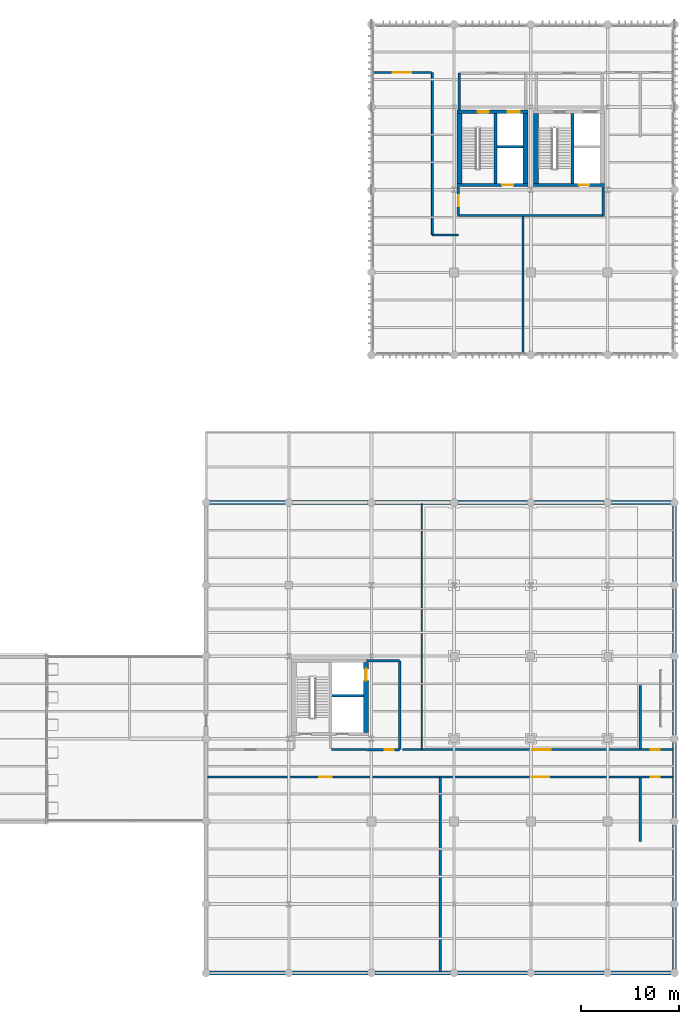
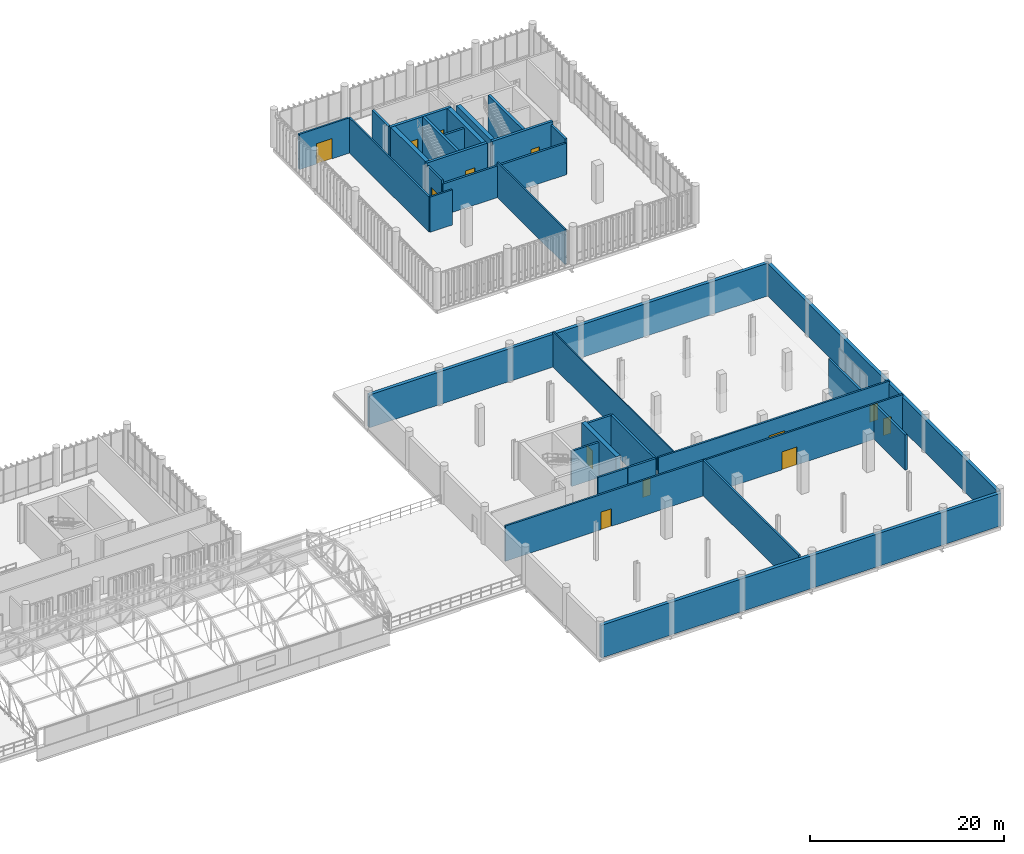
# One storey, part 95 of 109: 32 walls, 13 doors, 13 openings.
"""IFC4 building model written with IfcOpenShell, lengths in metres."""

from ifc_helpers import new_model, si_unit, direction, frame, frame_2d, origin_with_axes, place, context, subcontext, project, spatial, rectangle, extrude, material, layer, layer_set, type_object, element, fill, save


model = new_model("IFC4")

# Units and contexts
model_context = context("Model", 3, precision=1e-05, world=origin_with_axes(), true_north=direction((0.0, 1.0)))
body_context = subcontext(model_context, "Body", "Model", "MODEL_VIEW")
ifc_project = project(units=[si_unit("LENGTHUNIT", "METRE"), si_unit("AREAUNIT", "SQUARE_METRE"), si_unit("VOLUMEUNIT", "CUBIC_METRE"), si_unit("PLANEANGLEUNIT", "RADIAN"), si_unit("MASSUNIT", "GRAM", prefix="KILO"), si_unit("THERMODYNAMICTEMPERATUREUNIT", "KELVIN")], contexts=[model_context])

# Site, building, storey
site_placement = place(None, origin_with_axes())
site = spatial("IfcSite", under=ifc_project, at=site_placement, CompositionType="ELEMENT")
building_placement = place(site_placement, origin_with_axes())
building = spatial("IfcBuilding", under=site, at=building_placement, Name="Montbau Bow Law Courts", CompositionType="ELEMENT")
storey_placement = place(building_placement, frame((0.0, 0.0, 10.8), z_axis=(0.0, 0.0, 1.0), x_axis=(1.0, 0.0, 0.0)))
storey = spatial("IfcBuildingStorey", under=building, at=storey_placement, Name="L02", CompositionType="ELEMENT", Elevation=10.8)

# Walls
ifc_material_1 = material(Name="Concrete CSA A23.1 f'c 45 MPa", Category="concrete")
ifc_layer_1 = layer(ifc_material_1, 0.5, Name="Shear Wall", Category="concrete")
ifc_layer_set_1 = layer_set([ifc_layer_1], Name="Concrete CSA A23.1 f'c 45 MPa")
wall_type_1 = type_object("IfcWallType", Name="W-COR-01", PredefinedType="SHEAR", material=ifc_layer_set_1)
for number, where, z_axis, x_axis, name in (
    (1, (154.26, 87.04, 10.8), (0.0, 0.0, 1.0), (0.0, 1.0, 0.0), "WC-L02-0297:wal_0364"),
    (2, (147.54, 94.16, 10.8), (0.0, 0.0, 1.0), (0.0, -1.0, 0.0), "WC-L02-0298:wal_0365"),
    (3, (155.34, 94.16, 10.8), (0.0, 0.0, 1.0), (0.0, -1.0, 0.0), "WC-L02-0407:wal_0474"),
):
    element("IfcWall", number, at=place(None, frame(where, z_axis=z_axis, x_axis=x_axis)), inside=storey, type_object=wall_type_1, Name=name, PredefinedType="SHEAR", context=body_context, shape_type="SweptSolid", body=[
        extrude(rectangle(XDim=7.11999999999999, YDim=0.5, at=frame_2d((3.56, 0.0), x_axis=(1.0, 0.0))), origin_with_axes(), (0.0, 0.0, 1.0), 4.8),
    ])

# Wall, opening, door
wall_1_placement = place(None, frame((138.06, 31.24, 10.8), z_axis=(0.0, 0.0, 1.0), x_axis=(0.0, 1.0, 0.0)))
wall_1 = element("IfcWall", 4, at=wall_1_placement, inside=storey, type_object=wall_type_1, Name="WC-L02-0509:wal_0576", PredefinedType="SHEAR", context=body_context, shape_type="SweptSolid", body=[
    extrude(rectangle(XDim=7.120000000000001, YDim=0.5, at=frame_2d((3.56, 0.0), x_axis=(1.0, 0.0))), origin_with_axes(), (0.0, 0.0, 1.0), 4.8),
])
opening_1_placement = place(None, frame((138.06, 37.1, 10.8), z_axis=(0.0, 0.0, 1.0), x_axis=(0.0, 1.0, 0.0)))
opening_1 = element("IfcOpeningElement", 5, at=opening_1_placement, cuts=wall_1, Name="OP-LD-L02-EL-C2", PredefinedType="OPENING", context=body_context, shape_type="SweptSolid", body=[
    extrude(rectangle(XDim=1.18, YDim=2.24, at=frame_2d((0.0, 1.12), x_axis=(1.0, 0.0))), frame((0.0, 0.26, 0.0), z_axis=(0.0, -1.0, 0.0), x_axis=(1.0, 0.0, 0.0)), (0.0, 0.0, 1.0), 0.52),
])
ifc_material_2 = material(Name="Heavy-Gauge Security Custody Elevator Landing Door", Category="steel")
door_type_1 = type_object("IfcDoorType", Name="LD-CUS-01", OperationType="NOTDEFINED", ParameterTakesPrecedence=False, PredefinedType="DOOR", material=ifc_material_2)
door_1_placement = place(None, frame((138.06, 37.1, 10.8), z_axis=(0.0, 0.0, 1.0), x_axis=(0.0, 1.0, 0.0)))
door_1 = element("IfcDoor", 6, at=door_1_placement, inside=storey, type_object=door_type_1, Name="LD-L02-EL-C2:dor_0229", OperationType="SLIDING_TO_LEFT", OverallHeight=2.24, OverallWidth=1.18, PredefinedType="DOOR", context=body_context, shape_type="SweptSolid", body=[
    extrude(rectangle(XDim=1.18, YDim=2.24, at=frame_2d((0.0, 1.12), x_axis=(1.0, 0.0))), frame((0.0, 0.04, 0.0), z_axis=(0.0, -1.0, 0.0), x_axis=(1.0, 0.0, 0.0)), (0.0, 0.0, 1.0), 0.08),
])
fill(opening_1, door_1)

ifc_layer_2 = layer(ifc_material_1, 0.32, Name="Shear Wall", Category="concrete")
ifc_layer_set_2 = layer_set([ifc_layer_2], Name="Concrete CSA A23.1 f'c 45 MPa")
wall_type_2 = type_object("IfcWallType", Name="W-COR-05", PredefinedType="SHEAR", material=ifc_layer_set_2)
wall_2_placement = place(None, frame((147.29, 86.88, 10.8), z_axis=(0.0, 0.0, 1.0), x_axis=(1.0, 0.0, 0.0)))
wall_2 = element("IfcWall", 7, at=wall_2_placement, inside=storey, type_object=wall_type_2, Name="WC-L02-0295:wal_0362", PredefinedType="SHEAR", context=body_context, shape_type="SweptSolid", body=[
    extrude(rectangle(XDim=7.219999999999999, YDim=0.32, at=frame_2d((3.61, 0.0), x_axis=(1.0, 0.0))), origin_with_axes(), (0.0, 0.0, 1.0), 4.8),
])
opening_2_placement = place(None, frame((152.45, 86.88, 10.8), z_axis=(0.0, 0.0, 1.0), x_axis=(1.0, 0.0, 0.0)))
opening_2 = element("IfcOpeningElement", 8, at=opening_2_placement, cuts=wall_2, Name="OP-LD-L02-EL-P4", PredefinedType="OPENING", context=body_context, shape_type="SweptSolid", body=[
    extrude(rectangle(XDim=1.16, YDim=2.2, at=frame_2d((0.0, 1.1), x_axis=(1.0, 0.0))), frame((0.0, 0.17, 0.0), z_axis=(0.0, -1.0, 0.0), x_axis=(1.0, 0.0, 0.0)), (0.0, 0.0, 1.0), 0.34),
])
ifc_material_3 = material(Name="Brushed Stainless Steel Elevator Landing Door", Category="steel")
door_type_2 = type_object("IfcDoorType", Name="LD-PUB-01", OperationType="NOTDEFINED", ParameterTakesPrecedence=False, PredefinedType="DOOR", material=ifc_material_3)
door_2_placement = place(None, frame((152.45, 86.88, 10.8), z_axis=(0.0, 0.0, 1.0), x_axis=(-1.0, 0.0, 0.0)))
door_2 = element("IfcDoor", 9, at=door_2_placement, inside=storey, type_object=door_type_2, Name="LD-L02-EL-P4:dor_0151", OperationType="SLIDING_TO_LEFT", OverallHeight=2.2, OverallWidth=1.16, PredefinedType="DOOR", context=body_context, shape_type="SweptSolid", body=[
    extrude(rectangle(XDim=1.16, YDim=2.2, at=frame_2d((0.0, 1.1), x_axis=(1.0, 0.0))), frame((0.0, 0.04, 0.0), z_axis=(0.0, -1.0, 0.0), x_axis=(1.0, 0.0, 0.0)), (0.0, 0.0, 1.0), 0.08),
])
fill(opening_2, door_2)

# Wall, openings, doors
wall_3_placement = place(None, frame((154.51, 94.32, 10.8), z_axis=(0.0, 0.0, 1.0), x_axis=(-1.0, 0.0, 0.0)))
wall_3 = element("IfcWall", 10, at=wall_3_placement, inside=storey, type_object=wall_type_2, Name="WC-L02-0296:wal_0363", PredefinedType="SHEAR", context=body_context, shape_type="SweptSolid", body=[
    extrude(rectangle(XDim=7.219999999999999, YDim=0.32, at=frame_2d((3.61, 0.0), x_axis=(1.0, 0.0))), origin_with_axes(), (0.0, 0.0, 1.0), 4.8),
])
opening_3_placement = place(None, frame((149.95, 94.32, 10.8), z_axis=(0.0, 0.0, 1.0), x_axis=(-1.0, 0.0, 0.0)))
opening_3 = element("IfcOpeningElement", 11, at=opening_3_placement, cuts=wall_3, Name="OP-D-L02-ST-P2", PredefinedType="OPENING", context=body_context, shape_type="SweptSolid", body=[
    extrude(rectangle(XDim=1.14, YDim=2.18, at=frame_2d((0.0, 1.09), x_axis=(1.0, 0.0))), frame((0.0, 0.17, 0.0), z_axis=(0.0, -1.0, 0.0), x_axis=(1.0, 0.0, 0.0)), (0.0, 0.0, 1.0), 0.34),
])
opening_4_placement = place(None, frame((153.05, 94.32, 10.8), z_axis=(0.0, 0.0, 1.0), x_axis=(-1.0, 0.0, 0.0)))
opening_4 = element("IfcOpeningElement", 12, at=opening_4_placement, cuts=wall_3, Name="OP-LD-L02-EL-FF1", PredefinedType="OPENING", context=body_context, shape_type="SweptSolid", body=[
    extrude(rectangle(XDim=1.22, YDim=2.28, at=frame_2d((0.0, 1.14), x_axis=(1.0, 0.0))), frame((0.0, 0.17, 0.0), z_axis=(0.0, -1.0, 0.0), x_axis=(1.0, 0.0, 0.0)), (0.0, 0.0, 1.0), 0.34),
])
ifc_material_4 = material(Name="1.5 h Fire-Rated Hollow-Metal Exit Stair Door", Category="steel")
door_type_3 = type_object("IfcDoorType", Name="D-ST-01", OperationType="NOTDEFINED", ParameterTakesPrecedence=False, PredefinedType="DOOR", material=ifc_material_4)
door_3_placement = place(None, frame((149.95, 94.32, 10.8), z_axis=(0.0, 0.0, 1.0), x_axis=(1.0, 0.0, 0.0)))
door_3 = element("IfcDoor", 13, at=door_3_placement, inside=storey, type_object=door_type_3, Name="D-L02-ST-P2:dor_0149", OperationType="SINGLE_SWING_RIGHT", OverallHeight=2.18, OverallWidth=1.14, PredefinedType="DOOR", context=body_context, shape_type="SweptSolid", body=[
    extrude(rectangle(XDim=1.14, YDim=2.18, at=frame_2d((0.0, 1.09), x_axis=(1.0, 0.0))), frame((0.0, 0.04, 0.0), z_axis=(0.0, -1.0, 0.0), x_axis=(1.0, 0.0, 0.0)), (0.0, 0.0, 1.0), 0.08),
])
fill(opening_3, door_3)
ifc_material_5 = material(Name="CSA B44 Firefighters Elevator Landing Door", Category="steel")
door_type_4 = type_object("IfcDoorType", Name="LD-FFE-01", OperationType="NOTDEFINED", ParameterTakesPrecedence=False, PredefinedType="DOOR", material=ifc_material_5)
door_4_placement = place(None, frame((153.05, 94.32, 10.8), z_axis=(0.0, 0.0, 1.0), x_axis=(1.0, 0.0, 0.0)))
door_4 = element("IfcDoor", 14, at=door_4_placement, inside=storey, type_object=door_type_4, Name="LD-L02-EL-FF1:dor_0150", OperationType="SLIDING_TO_LEFT", OverallHeight=2.28, OverallWidth=1.22, PredefinedType="DOOR", context=body_context, shape_type="SweptSolid", body=[
    extrude(rectangle(XDim=1.22, YDim=2.28, at=frame_2d((0.0, 1.14), x_axis=(1.0, 0.0))), frame((0.0, 0.04, 0.0), z_axis=(0.0, -1.0, 0.0), x_axis=(1.0, 0.0, 0.0)), (0.0, 0.0, 1.0), 0.08),
])
fill(opening_4, door_4)

# Wall
wall_4_placement = place(None, frame((151.22, 87.04, 10.8), z_axis=(0.0, 0.0, 1.0), x_axis=(0.0, 1.0, 0.0)))
element("IfcWall", 15, at=wall_4_placement, inside=storey, type_object=wall_type_2, Name="WS-L02-0299:wal_0366", PredefinedType="SHEAR", context=body_context, shape_type="SweptSolid", body=[
    extrude(rectangle(XDim=7.11999999999999, YDim=0.32, at=frame_2d((3.56, 0.0), x_axis=(1.0, 0.0))), origin_with_axes(), (0.0, 0.0, 1.0), 4.8),
])

# Wall, opening, door
wall_5_placement = place(None, frame((155.09, 86.88, 10.8), z_axis=(0.0, 0.0, 1.0), x_axis=(1.0, 0.0, 0.0)))
wall_5 = element("IfcWall", 16, at=wall_5_placement, inside=storey, type_object=wall_type_2, Name="WC-L02-0404:wal_0471", PredefinedType="SHEAR", context=body_context, shape_type="SweptSolid", body=[
    extrude(rectangle(XDim=7.219999999999999, YDim=0.32, at=frame_2d((3.61, 0.0), x_axis=(1.0, 0.0))), origin_with_axes(), (0.0, 0.0, 1.0), 4.8),
])
opening_5_placement = place(None, frame((160.2, 86.88, 10.8), z_axis=(0.0, 0.0, 1.0), x_axis=(1.0, 0.0, 0.0)))
opening_5 = element("IfcOpeningElement", 17, at=opening_5_placement, cuts=wall_5, Name="OP-LD-L02-EL-J2", PredefinedType="OPENING", context=body_context, shape_type="SweptSolid", body=[
    extrude(rectangle(XDim=1.06, YDim=2.16, at=frame_2d((0.0, 1.08), x_axis=(1.0, 0.0))), frame((0.0, 0.17, 0.0), z_axis=(0.0, -1.0, 0.0), x_axis=(1.0, 0.0, 0.0)), (0.0, 0.0, 1.0), 0.34),
])
ifc_material_6 = material(Name="Bronze-Clad Judicial Elevator Landing Door", Category="steel")
door_type_5 = type_object("IfcDoorType", Name="LD-JUD-01", OperationType="NOTDEFINED", ParameterTakesPrecedence=False, PredefinedType="DOOR", material=ifc_material_6)
door_5_placement = place(None, frame((160.2, 86.88, 10.8), z_axis=(0.0, 0.0, 1.0), x_axis=(-1.0, 0.0, 0.0)))
door_5 = element("IfcDoor", 18, at=door_5_placement, inside=storey, type_object=door_type_5, Name="LD-L02-EL-J2:dor_0191", OperationType="SLIDING_TO_LEFT", OverallHeight=2.16, OverallWidth=1.06, PredefinedType="DOOR", context=body_context, shape_type="SweptSolid", body=[
    extrude(rectangle(XDim=1.06, YDim=2.16, at=frame_2d((0.0, 1.08), x_axis=(1.0, 0.0))), frame((0.0, 0.04, 0.0), z_axis=(0.0, -1.0, 0.0), x_axis=(1.0, 0.0, 0.0)), (0.0, 0.0, 1.0), 0.08),
])
fill(opening_5, door_5)

# Walls
wall_6_placement = place(None, frame((159.02, 87.04, 10.8), z_axis=(0.0, 0.0, 1.0), x_axis=(0.0, 1.0, 0.0)))
element("IfcWall", 19, at=wall_6_placement, inside=storey, type_object=wall_type_2, Name="WS-L02-0408:wal_0475", PredefinedType="SHEAR", context=body_context, shape_type="SweptSolid", body=[
    extrude(rectangle(XDim=7.11999999999999, YDim=0.32, at=frame_2d((3.56, 0.0), x_axis=(1.0, 0.0))), origin_with_axes(), (0.0, 0.0, 1.0), 4.8),
])
ifc_material_7 = material(Name="Polychrome Glazed Ceramic Rainscreen Insulated Wall", Category="masonry")
ifc_layer_3 = layer(ifc_material_7, 0.4, Name="Solid Wall", Category="masonry")
ifc_layer_set_3 = layer_set([ifc_layer_3], Name="Polychrome Glazed Ceramic Rainscreen Insulated Wall")
wall_type_3 = type_object("IfcWallType", Name="W-EXT-04", PredefinedType="SOLIDWALL", material=ifc_layer_set_3)
for number, where, z_axis, x_axis, name in (
    (20, (121.8, 6.8, 10.8), (0.0, 0.0, 1.0), (1.0, 0.0, 0.0), "WE-L02-020:wal_0037"),
    (21, (169.4, 54.6, 10.8), (0.0, 0.0, 1.0), (-1.0, 0.0, 0.0), "WE-L02-021:wal_0038"),
):
    element("IfcWall", number, at=place(None, frame(where, z_axis=z_axis, x_axis=x_axis)), inside=storey, type_object=wall_type_3, Name=name, PredefinedType="SOLIDWALL", context=body_context, shape_type="SweptSolid", body=[
        extrude(rectangle(XDim=47.60000000000001, YDim=0.4, at=frame_2d((23.8, 0.0), x_axis=(1.0, 0.0))), origin_with_axes(), (0.0, 0.0, 1.0), 4.124),
    ])
wall_7_placement = place(None, frame((169.4, 7.06, 10.8), z_axis=(0.0, 0.0, 1.0), x_axis=(0.0, 1.0, 0.0)))
element("IfcWall", 22, at=wall_7_placement, inside=storey, type_object=wall_type_3, Name="WE-L02-022:wal_0039", PredefinedType="SOLIDWALL", context=body_context, shape_type="SweptSolid", body=[
    extrude(rectangle(XDim=47.28, YDim=0.4, at=frame_2d((23.64, 0.0), x_axis=(1.0, 0.0))), origin_with_axes(), (0.0, 0.0, 1.0), 4.124),
])
ifc_material_8 = material(Name="Double-Stud Acoustic Plumbing Chase Gypsum Assembly", Category="gypsum")
ifc_layer_4 = layer(ifc_material_8, 0.26, Name="Plumbing Wall", Category="gypsum")
ifc_layer_set_4 = layer_set([ifc_layer_4], Name="Double-Stud Acoustic Plumbing Chase Gypsum Assembly")
wall_type_4 = type_object("IfcWallType", Name="W-PLM-01", PredefinedType="PLUMBINGWALL", material=ifc_layer_set_4)
wall_8_placement = place(None, frame((165.94, 29.59, 10.8), z_axis=(0.0, 0.0, 1.0), x_axis=(0.0, 1.0, 0.0)))
element("IfcWall", 23, at=wall_8_placement, inside=storey, type_object=wall_type_4, Name="WD-L02-0769:wal_0836", PredefinedType="PLUMBINGWALL", context=body_context, shape_type="SweptSolid", body=[
    extrude(rectangle(XDim=6.430000000000003, YDim=0.26, at=frame_2d((3.215, 0.0), x_axis=(1.0, 0.0))), origin_with_axes(), (0.0, 0.0, 1.0), 4.44),
])
wall_9_placement = place(None, frame((165.94, 20.18, 10.8), z_axis=(0.0, 0.0, 1.0), x_axis=(0.0, 1.0, 0.0)))
element("IfcWall", 24, at=wall_9_placement, inside=storey, type_object=wall_type_4, Name="WD-L02-0770:wal_0837", PredefinedType="PLUMBINGWALL", context=body_context, shape_type="SweptSolid", body=[
    extrude(rectangle(XDim=6.43, YDim=0.26, at=frame_2d((3.215, 0.0), x_axis=(1.0, 0.0))), origin_with_axes(), (0.0, 0.0, 1.0), 4.44),
])
ifc_material_9 = material(Name="2 h Shaft and Exit-Passage Fire Separation Partition", Category="gypsum")
ifc_layer_5 = layer(ifc_material_9, 0.25, Name="Partition", Category="gypsum")
ifc_layer_set_5 = layer_set([ifc_layer_5], Name="2 h Shaft and Exit-Passage Fire Separation Partition")
wall_type_5 = type_object("IfcWallType", Name="W-PRT-01", PredefinedType="PARTITIONING", material=ifc_layer_set_5)
wall_10_placement = place(None, frame((151.38, 90.749, 10.8), z_axis=(0.0, 0.0, 1.0), x_axis=(1.0, 0.0, 0.0)))
element("IfcWall", 25, at=wall_10_placement, inside=storey, type_object=wall_type_5, Name="WS-L02-0300:wal_0367", PredefinedType="PARTITIONING", context=body_context, shape_type="SweptSolid", body=[
    extrude(rectangle(XDim=2.6299999999999955, YDim=0.25, at=frame_2d((1.315, 0.0), x_axis=(1.0, 0.0))), origin_with_axes(), (0.0, 0.0, 1.0), 4.44),
])
wall_11_placement = place(None, frame((147.54, 94.5, 10.8), z_axis=(0.0, 0.0, 1.0), x_axis=(0.0, 1.0, 0.0)))
element("IfcWall", 26, at=wall_11_placement, inside=storey, type_object=wall_type_5, Name="WFF-L02-0302:wal_0369", PredefinedType="PARTITIONING", context=body_context, shape_type="SweptSolid", body=[
    extrude(rectangle(XDim=3.75, YDim=0.25, at=frame_2d((1.875, 0.0), x_axis=(1.0, 0.0))), origin_with_axes(), (0.0, 0.0, 1.0), 4.44),
])
wall_12_placement = place(None, frame((147.44, 83.78, 10.8), z_axis=(0.0, 0.0, 1.0), x_axis=(1.0, 0.0, 0.0)))
element("IfcWall", 27, at=wall_12_placement, inside=storey, type_object=wall_type_5, Name="WEL-L02-0304:wal_0371", PredefinedType="PARTITIONING", context=body_context, shape_type="SweptSolid", body=[
    extrude(rectangle(XDim=14.719999999999999, YDim=0.25, at=frame_2d((7.36, 0.0), x_axis=(1.0, 0.0))), origin_with_axes(), (0.0, 0.0, 1.0), 3.97),
])
wall_13_placement = place(None, frame((162.16, 83.78, 10.8), z_axis=(0.0, 0.0, 1.0), x_axis=(0.0, 1.0, 0.0)))
element("IfcWall", 28, at=wall_13_placement, inside=storey, type_object=wall_type_5, Name="WEL-L02-0305:wal_0372", PredefinedType="PARTITIONING", context=body_context, shape_type="SweptSolid", body=[
    extrude(rectangle(XDim=2.9200000000000017, YDim=0.25, at=frame_2d((1.46, 0.0), x_axis=(1.0, 0.0))), origin_with_axes(), (0.0, 0.0, 1.0), 4.44),
])

# Wall, opening, door
wall_14_placement = place(None, frame((147.44, 86.7, 10.8), z_axis=(0.0, 0.0, 1.0), x_axis=(0.0, -1.0, 0.0)))
wall_14 = element("IfcWall", 29, at=wall_14_placement, inside=storey, type_object=wall_type_5, Name="WEL-L02-0306:wal_0373", PredefinedType="PARTITIONING", context=body_context, shape_type="SweptSolid", body=[
    extrude(rectangle(XDim=2.9200000000000017, YDim=0.25, at=frame_2d((1.46, 0.0), x_axis=(1.0, 0.0))), origin_with_axes(), (0.0, 0.0, 1.0), 4.44),
])
opening_6_placement = place(None, frame((147.44, 85.275, 10.8), z_axis=(0.0, 0.0, 1.0), x_axis=(0.0, -1.0, 0.0)))
opening_6 = element("IfcOpeningElement", 30, at=opening_6_placement, cuts=wall_14, Name="OP-D-L02-ELB-NE", PredefinedType="OPENING", context=body_context, shape_type="SweptSolid", body=[
    extrude(rectangle(XDim=1.15, YDim=2.25, at=frame_2d((0.0, 1.125), x_axis=(1.0, 0.0))), frame((0.0, 0.135, 0.0), z_axis=(0.0, -1.0, 0.0), x_axis=(1.0, 0.0, 0.0)), (0.0, 0.0, 1.0), 0.27),
])
ifc_material_10 = material(Name="1.5 h Smoke-Sealed Firefighters Lobby Door", Category="steel")
door_type_6 = type_object("IfcDoorType", Name="D-FFL-01", OperationType="NOTDEFINED", ParameterTakesPrecedence=False, PredefinedType="DOOR", material=ifc_material_10)
door_6_placement = place(None, frame((147.44, 85.275, 10.8), z_axis=(0.0, 0.0, 1.0), x_axis=(0.0, -1.0, 0.0)))
door_6 = element("IfcDoor", 31, at=door_6_placement, inside=storey, type_object=door_type_6, Name="D-L02-ELB-NE:dor_0153", OperationType="SINGLE_SWING_RIGHT", OverallHeight=2.25, OverallWidth=1.15, PredefinedType="DOOR", context=body_context, shape_type="SweptSolid", body=[
    extrude(rectangle(XDim=1.15, YDim=2.25, at=frame_2d((0.0, 1.125), x_axis=(1.0, 0.0))), frame((0.0, 0.04, 0.0), z_axis=(0.0, -1.0, 0.0), x_axis=(1.0, 0.0, 0.0)), (0.0, 0.0, 1.0), 0.08),
])
fill(opening_6, door_6)

# Walls
wall_15_placement = place(None, frame((134.58, 34.949, 10.8), z_axis=(0.0, 0.0, 1.0), x_axis=(1.0, 0.0, 0.0)))
element("IfcWall", 32, at=wall_15_placement, inside=storey, type_object=wall_type_5, Name="WS-L02-0512:wal_0579", PredefinedType="PARTITIONING", context=body_context, shape_type="SweptSolid", body=[
    extrude(rectangle(XDim=3.2299999999999898, YDim=0.25, at=frame_2d((1.615, 0.0), x_axis=(1.0, 0.0))), origin_with_axes(), (0.0, 0.0, 1.0), 4.44),
])
wall_16_placement = place(None, frame((141.46, 29.49, 10.8), z_axis=(0.0, 0.0, 1.0), x_axis=(0.0, 1.0, 0.0)))
element("IfcWall", 33, at=wall_16_placement, inside=storey, type_object=wall_type_5, Name="WEL-L02-0513:wal_0580", PredefinedType="PARTITIONING", context=body_context, shape_type="SweptSolid", body=[
    extrude(rectangle(XDim=9.030000000000005, YDim=0.25, at=frame_2d((4.515, 0.0), x_axis=(1.0, 0.0))), origin_with_axes(), (0.0, 0.0, 1.0), 4.44),
])
wall_17_placement = place(None, frame((138.1, 38.52, 10.8), z_axis=(0.0, 0.0, 1.0), x_axis=(1.0, 0.0, 0.0)))
element("IfcWall", 34, at=wall_17_placement, inside=storey, type_object=wall_type_5, Name="WEL-L02-0514:wal_0581", PredefinedType="PARTITIONING", context=body_context, shape_type="SweptSolid", body=[
    extrude(rectangle(XDim=3.3600000000000136, YDim=0.25, at=frame_2d((1.68, 0.0), x_axis=(1.0, 0.0))), origin_with_axes(), (0.0, 0.0, 1.0), 4.44),
])

# Wall, opening, door
wall_18_placement = place(None, frame((138.1, 29.49, 10.8), z_axis=(0.0, 0.0, 1.0), x_axis=(1.0, 0.0, 0.0)))
wall_18 = element("IfcWall", 35, at=wall_18_placement, inside=storey, type_object=wall_type_5, Name="WEL-L02-0515:wal_0582", PredefinedType="PARTITIONING", context=body_context, shape_type="SweptSolid", body=[
    extrude(rectangle(XDim=3.3600000000000136, YDim=0.25, at=frame_2d((1.68, 0.0), x_axis=(1.0, 0.0))), origin_with_axes(), (0.0, 0.0, 1.0), 4.44),
])
opening_7_placement = place(None, frame((140.405, 29.49, 10.8), z_axis=(0.0, 0.0, 1.0), x_axis=(1.0, 0.0, 0.0)))
opening_7 = element("IfcOpeningElement", 36, at=opening_7_placement, cuts=wall_18, Name="OP-D-L02-ELB-CORE-CU", PredefinedType="OPENING", context=body_context, shape_type="SweptSolid", body=[
    extrude(rectangle(XDim=0.91, YDim=2.12, at=frame_2d((0.0, 1.06), x_axis=(1.0, 0.0))), frame((0.0, 0.135, 0.0), z_axis=(0.0, -1.0, 0.0), x_axis=(1.0, 0.0, 0.0)), (0.0, 0.0, 1.0), 0.27),
])
ifc_material_11 = material(Name="Public and Judicial Washroom Solid-Core Door", Category="wood")
door_type_7 = type_object("IfcDoorType", Name="D-WC-02", OperationType="NOTDEFINED", ParameterTakesPrecedence=False, PredefinedType="DOOR", material=ifc_material_11)
door_7_placement = place(None, frame((140.405, 29.49, 10.8), z_axis=(0.0, 0.0, 1.0), x_axis=(1.0, 0.0, 0.0)))
door_7 = element("IfcDoor", 37, at=door_7_placement, inside=storey, type_object=door_type_7, Name="D-L02-ELB-CORE-CU:dor_0230", OperationType="SINGLE_SWING_RIGHT", OverallHeight=2.12, OverallWidth=0.91, PredefinedType="DOOR", context=body_context, shape_type="SweptSolid", body=[
    extrude(rectangle(XDim=0.91, YDim=2.12, at=frame_2d((0.0, 1.06), x_axis=(1.0, 0.0))), frame((0.0, 0.04, 0.0), z_axis=(0.0, -1.0, 0.0), x_axis=(1.0, 0.0, 0.0)), (0.0, 0.0, 1.0), 0.08),
])
fill(opening_7, door_7)

ifc_material_12 = material(Name="STC-60 High-Acoustic Courtroom Perimeter Partition", Category="gypsum")
ifc_layer_6 = layer(ifc_material_12, 0.22, Name="Partition", Category="gypsum")
ifc_layer_set_6 = layer_set([ifc_layer_6], Name="STC-60 High-Acoustic Courtroom Perimeter Partition")
wall_type_6 = type_object("IfcWallType", Name="W-PRT-02", PredefinedType="PARTITIONING", material=ifc_layer_set_6)
wall_19_placement = place(None, frame((138.74, 98.31, 10.8), z_axis=(0.0, 0.0, 1.0), x_axis=(1.0, 0.0, 0.0)))
wall_19 = element("IfcWall", 38, at=wall_19_placement, inside=storey, type_object=wall_type_6, Name="WP-L02-0759:wal_0826", PredefinedType="PARTITIONING", context=body_context, shape_type="SweptSolid", body=[
    extrude(rectangle(XDim=5.9599999999999795, YDim=0.22, at=frame_2d((2.98, 0.0), x_axis=(1.0, 0.0))), origin_with_axes(), (0.0, 0.0, 1.0), 4.44),
])
opening_8_placement = place(None, frame((141.72, 98.31, 10.8), z_axis=(0.0, 0.0, 1.0), x_axis=(1.0, 0.0, 0.0)))
opening_8 = element("IfcOpeningElement", 39, at=opening_8_placement, cuts=wall_19, Name="OP-D-L02-312", PredefinedType="OPENING", context=body_context, shape_type="SweptSolid", body=[
    extrude(rectangle(XDim=1.88, YDim=2.56, at=frame_2d((0.0, 1.28), x_axis=(1.0, 0.0))), frame((0.0, 0.12, 0.0), z_axis=(0.0, -1.0, 0.0), x_axis=(1.0, 0.0, 0.0)), (0.0, 0.0, 1.0), 0.24),
])
ifc_material_13 = material(Name="Acoustic White-Oak Criminal Jury Courtroom Double Door", Category="wood")
door_type_8 = type_object("IfcDoorType", Name="D-CRT-02", OperationType="NOTDEFINED", ParameterTakesPrecedence=False, PredefinedType="DOOR", material=ifc_material_13)
door_8_placement = place(None, frame((141.72, 98.31, 10.8), z_axis=(0.0, 0.0, 1.0), x_axis=(1.0, 0.0, 0.0)))
door_8 = element("IfcDoor", 40, at=door_8_placement, inside=storey, type_object=door_type_8, Name="D-L02-312:dor_0347", OperationType="DOUBLE_DOOR_SINGLE_SWING", OverallHeight=2.56, OverallWidth=1.88, PredefinedType="DOOR", context=body_context, shape_type="SweptSolid", body=[
    extrude(rectangle(XDim=1.88, YDim=2.56, at=frame_2d((0.0, 1.28), x_axis=(1.0, 0.0))), frame((0.0, 0.04, 0.0), z_axis=(0.0, -1.0, 0.0), x_axis=(1.0, 0.0, 0.0)), (0.0, 0.0, 1.0), 0.08),
])
fill(opening_8, door_8)

# Wall
wall_20_placement = place(None, frame((134.55, 29.49, 10.8), z_axis=(0.0, 0.0, 1.0), x_axis=(1.0, 0.0, 0.0)))
element("IfcWall", 41, at=wall_20_placement, inside=storey, type_object=wall_type_6, Name="WP-L02-0766:wal_0833", PredefinedType="PARTITIONING", context=body_context, shape_type="SweptSolid", body=[
    extrude(rectangle(XDim=3.509999999999991, YDim=0.22, at=frame_2d((1.755, 0.0), x_axis=(1.0, 0.0))), origin_with_axes(), (0.0, 0.0, 1.0), 4.44),
])

# Wall, openings, doors
wall_21_placement = place(None, frame((141.755, 29.49, 10.8), z_axis=(0.0, 0.0, 1.0), x_axis=(1.0, 0.0, 0.0)))
wall_21 = element("IfcWall", 42, at=wall_21_placement, inside=storey, type_object=wall_type_6, Name="WP-L02-0767:wal_0834", PredefinedType="PARTITIONING", context=body_context, shape_type="SweptSolid", body=[
    extrude(rectangle(XDim=27.504999999999995, YDim=0.22, at=frame_2d((13.7525, 0.0), x_axis=(1.0, 0.0))), origin_with_axes(), (0.0, 0.0, 1.0), 4.44),
])
opening_9_placement = place(None, frame((155.877, 29.49, 10.8), z_axis=(0.0, 0.0, 1.0), x_axis=(1.0, 0.0, 0.0)))
opening_9 = element("IfcOpeningElement", 43, at=opening_9_placement, cuts=wall_21, Name="OP-D-L02-316", PredefinedType="OPENING", context=body_context, shape_type="SweptSolid", body=[
    extrude(rectangle(XDim=1.88, YDim=2.56, at=frame_2d((0.0, 1.28), x_axis=(1.0, 0.0))), frame((0.0, 0.12, 0.0), z_axis=(0.0, -1.0, 0.0), x_axis=(1.0, 0.0, 0.0)), (0.0, 0.0, 1.0), 0.24),
])
opening_10_placement = place(None, frame((167.438, 29.49, 10.8), z_axis=(0.0, 0.0, 1.0), x_axis=(1.0, 0.0, 0.0)))
opening_10 = element("IfcOpeningElement", 44, at=opening_10_placement, cuts=wall_21, Name="OP-D-L02-317", PredefinedType="OPENING", context=body_context, shape_type="SweptSolid", body=[
    extrude(rectangle(XDim=0.95, YDim=2.1, at=frame_2d((0.0, 1.05), x_axis=(1.0, 0.0))), frame((0.0, 0.12, 0.0), z_axis=(0.0, -1.0, 0.0), x_axis=(1.0, 0.0, 0.0)), (0.0, 0.0, 1.0), 0.24),
])
door_9_placement = place(None, frame((155.877, 29.49, 10.8), z_axis=(0.0, 0.0, 1.0), x_axis=(-1.0, 0.0, 0.0)))
door_9 = element("IfcDoor", 45, at=door_9_placement, inside=storey, type_object=door_type_8, Name="D-L02-316:dor_0351", OperationType="DOUBLE_DOOR_SINGLE_SWING", OverallHeight=2.56, OverallWidth=1.88, PredefinedType="DOOR", context=body_context, shape_type="SweptSolid", body=[
    extrude(rectangle(XDim=1.88, YDim=2.56, at=frame_2d((0.0, 1.28), x_axis=(1.0, 0.0))), frame((0.0, 0.04, 0.0), z_axis=(0.0, -1.0, 0.0), x_axis=(1.0, 0.0, 0.0)), (0.0, 0.0, 1.0), 0.08),
])
fill(opening_9, door_9)
ifc_material_14 = material(Name="CSA B651 Universal Barrier-Free Washroom Door", Category="wood")
door_type_9 = type_object("IfcDoorType", Name="D-WC-01", OperationType="NOTDEFINED", ParameterTakesPrecedence=False, PredefinedType="DOOR", material=ifc_material_14)
door_10_placement = place(None, frame((167.438, 29.49, 10.8), z_axis=(0.0, 0.0, 1.0), x_axis=(-1.0, 0.0, 0.0)))
door_10 = element("IfcDoor", 46, at=door_10_placement, inside=storey, type_object=door_type_9, Name="D-L02-317:dor_0352", OperationType="SINGLE_SWING_LEFT", OverallHeight=2.1, OverallWidth=0.95, PredefinedType="DOOR", context=body_context, shape_type="SweptSolid", body=[
    extrude(rectangle(XDim=0.95, YDim=2.1, at=frame_2d((0.0, 1.05), x_axis=(1.0, 0.0))), frame((0.0, 0.04, 0.0), z_axis=(0.0, -1.0, 0.0), x_axis=(1.0, 0.0, 0.0)), (0.0, 0.0, 1.0), 0.08),
])
fill(opening_10, door_10)

wall_22_placement = place(None, frame((121.94, 26.71, 10.8), z_axis=(0.0, 0.0, 1.0), x_axis=(1.0, 0.0, 0.0)))
wall_22 = element("IfcWall", 47, at=wall_22_placement, inside=storey, type_object=wall_type_6, Name="WP-L02-0768:wal_0835", PredefinedType="PARTITIONING", context=body_context, shape_type="SweptSolid", body=[
    extrude(rectangle(XDim=47.31999999999999, YDim=0.22, at=frame_2d((23.66, 0.0), x_axis=(1.0, 0.0))), origin_with_axes(), (0.0, 0.0, 1.0), 4.44),
])
opening_11_placement = place(None, frame((133.932, 26.71, 10.8), z_axis=(0.0, 0.0, 1.0), x_axis=(1.0, 0.0, 0.0)))
opening_11 = element("IfcOpeningElement", 48, at=opening_11_placement, cuts=wall_22, Name="OP-D-L02-318", PredefinedType="OPENING", context=body_context, shape_type="SweptSolid", body=[
    extrude(rectangle(XDim=1.24, YDim=2.22, at=frame_2d((0.0, 1.11), x_axis=(1.0, 0.0))), frame((0.0, 0.12, 0.0), z_axis=(0.0, -1.0, 0.0), x_axis=(1.0, 0.0, 0.0)), (0.0, 0.0, 1.0), 0.24),
])
opening_12_placement = place(None, frame((155.77, 26.71, 10.8), z_axis=(0.0, 0.0, 1.0), x_axis=(1.0, 0.0, 0.0)))
opening_12 = element("IfcOpeningElement", 49, at=opening_12_placement, cuts=wall_22, Name="OP-D-L02-319", PredefinedType="OPENING", context=body_context, shape_type="SweptSolid", body=[
    extrude(rectangle(XDim=1.76, YDim=2.26, at=frame_2d((0.0, 1.13), x_axis=(1.0, 0.0))), frame((0.0, 0.12, 0.0), z_axis=(0.0, -1.0, 0.0), x_axis=(1.0, 0.0, 0.0)), (0.0, 0.0, 1.0), 0.24),
])
opening_13_placement = place(None, frame((167.438, 26.71, 10.8), z_axis=(0.0, 0.0, 1.0), x_axis=(1.0, 0.0, 0.0)))
opening_13 = element("IfcOpeningElement", 50, at=opening_13_placement, cuts=wall_22, Name="OP-D-L02-320", PredefinedType="OPENING", context=body_context, shape_type="SweptSolid", body=[
    extrude(rectangle(XDim=0.91, YDim=2.12, at=frame_2d((0.0, 1.06), x_axis=(1.0, 0.0))), frame((0.0, 0.12, 0.0), z_axis=(0.0, -1.0, 0.0), x_axis=(1.0, 0.0, 0.0)), (0.0, 0.0, 1.0), 0.24),
])
ifc_material_15 = material(Name="Detention-Grade Steel Bar and Polycarbonate Sliding Gate", Category="steel")
door_type_10 = type_object("IfcDoorType", Name="D-GAT-01", OperationType="NOTDEFINED", ParameterTakesPrecedence=False, PredefinedType="GATE", material=ifc_material_15)
door_11_placement = place(None, frame((133.932, 26.71, 10.8), z_axis=(0.0, 0.0, 1.0), x_axis=(1.0, 0.0, 0.0)))
door_11 = element("IfcDoor", 51, at=door_11_placement, inside=storey, type_object=door_type_10, Name="D-L02-318:dor_0353", OperationType="SLIDING_TO_LEFT", OverallHeight=2.22, OverallWidth=1.24, PredefinedType="GATE", context=body_context, shape_type="SweptSolid", body=[
    extrude(rectangle(XDim=1.24, YDim=2.22, at=frame_2d((0.0, 1.11), x_axis=(1.0, 0.0))), frame((0.0, 0.04, 0.0), z_axis=(0.0, -1.0, 0.0), x_axis=(1.0, 0.0, 0.0)), (0.0, 0.0, 1.0), 0.08),
])
fill(opening_11, door_11)
ifc_material_16 = material(Name="Detention-Grade Steel Sally-Port Transfer Gate", Category="steel")
door_type_11 = type_object("IfcDoorType", Name="D-GAT-03", OperationType="NOTDEFINED", ParameterTakesPrecedence=False, PredefinedType="GATE", material=ifc_material_16)
door_12_placement = place(None, frame((155.77, 26.71, 10.8), z_axis=(0.0, 0.0, 1.0), x_axis=(1.0, 0.0, 0.0)))
door_12 = element("IfcDoor", 52, at=door_12_placement, inside=storey, type_object=door_type_11, Name="D-L02-319:dor_0354", OperationType="DOUBLE_DOOR_SINGLE_SWING", OverallHeight=2.26, OverallWidth=1.76, PredefinedType="GATE", context=body_context, shape_type="SweptSolid", body=[
    extrude(rectangle(XDim=1.76, YDim=2.26, at=frame_2d((0.0, 1.13), x_axis=(1.0, 0.0))), frame((0.0, 0.04, 0.0), z_axis=(0.0, -1.0, 0.0), x_axis=(1.0, 0.0, 0.0)), (0.0, 0.0, 1.0), 0.08),
])
fill(opening_12, door_12)
door_13_placement = place(None, frame((167.438, 26.71, 10.8), z_axis=(0.0, 0.0, 1.0), x_axis=(1.0, 0.0, 0.0)))
door_13 = element("IfcDoor", 53, at=door_13_placement, inside=storey, type_object=door_type_7, Name="D-L02-320:dor_0355", OperationType="SINGLE_SWING_RIGHT", OverallHeight=2.12, OverallWidth=0.91, PredefinedType="DOOR", context=body_context, shape_type="SweptSolid", body=[
    extrude(rectangle(XDim=0.91, YDim=2.12, at=frame_2d((0.0, 1.06), x_axis=(1.0, 0.0))), frame((0.0, 0.04, 0.0), z_axis=(0.0, -1.0, 0.0), x_axis=(1.0, 0.0, 0.0)), (0.0, 0.0, 1.0), 0.08),
])
fill(opening_13, door_13)

# Walls
wall_23_placement = place(None, frame((145.6, 6.94, 10.8), z_axis=(0.0, 0.0, 1.0), x_axis=(0.0, 1.0, 0.0)))
element("IfcWall", 54, at=wall_23_placement, inside=storey, type_object=wall_type_6, Name="WD-L02-0772:wal_0839", PredefinedType="PARTITIONING", context=body_context, shape_type="SweptSolid", body=[
    extrude(rectangle(XDim=19.77, YDim=0.22, at=frame_2d((9.885, 0.0), x_axis=(1.0, 0.0))), origin_with_axes(), (0.0, 0.0, 1.0), 4.44),
])
ifc_material_17 = material(Name="STC-55 Jury Deliberation Security Partition", Category="gypsum")
ifc_layer_7 = layer(ifc_material_17, 0.2, Name="Partition", Category="gypsum")
ifc_layer_set_7 = layer_set([ifc_layer_7], Name="STC-55 Jury Deliberation Security Partition")
wall_type_7 = type_object("IfcWallType", Name="W-PRT-03", PredefinedType="PARTITIONING", material=ifc_layer_set_7)
wall_24_placement = place(None, frame((144.8, 81.8, 10.8), z_axis=(0.0, 0.0, 1.0), x_axis=(0.0, 1.0, 0.0)))
element("IfcWall", 55, at=wall_24_placement, inside=storey, type_object=wall_type_7, Name="WCX-L02-0757:wal_0824", PredefinedType="PARTITIONING", context=body_context, shape_type="SweptSolid", body=[
    extrude(rectangle(XDim=16.510000000000005, YDim=0.2, at=frame_2d((8.255, 0.0), x_axis=(1.0, 0.0))), origin_with_axes(), (0.0, 0.0, 1.0), 4.44),
])
wall_25_placement = place(None, frame((144.8, 81.8, 10.8), z_axis=(0.0, 0.0, 1.0), x_axis=(1.0, 0.0, 0.0)))
element("IfcWall", 56, at=wall_25_placement, inside=storey, type_object=wall_type_7, Name="WCX-L02-0758:wal_0825", PredefinedType="PARTITIONING", context=body_context, shape_type="SweptSolid", body=[
    extrude(rectangle(XDim=2.6399999999999864, YDim=0.2, at=frame_2d((1.32, 0.0), x_axis=(1.0, 0.0))), origin_with_axes(), (0.0, 0.0, 1.0), 4.44),
])
ifc_material_18 = material(Name="1 h Corridor Fire-Rated Gypsum Partition", Category="gypsum")
ifc_layer_8 = layer(ifc_material_18, 0.18, Name="Partition", Category="gypsum")
ifc_layer_set_8 = layer_set([ifc_layer_8], Name="1 h Corridor Fire-Rated Gypsum Partition")
wall_type_8 = type_object("IfcWallType", Name="W-PRT-04", PredefinedType="PARTITIONING", material=ifc_layer_set_8)
wall_26_placement = place(None, frame((154.0, 69.74, 10.8), z_axis=(0.0, 0.0, 1.0), x_axis=(0.0, 1.0, 0.0)))
element("IfcWall", 57, at=wall_26_placement, inside=storey, type_object=wall_type_8, Name="WD-L02-0762:wal_0829", PredefinedType="PARTITIONING", context=body_context, shape_type="SweptSolid", body=[
    extrude(rectangle(XDim=13.920000000000002, YDim=0.18, at=frame_2d((6.96, 0.0), x_axis=(1.0, 0.0))), origin_with_axes(), (0.0, 0.0, 1.0), 4.44),
])
ifc_material_19 = material(Name="1 h Interior Demising Acoustic Stud Partition", Category="gypsum")
ifc_layer_9 = layer(ifc_material_19, 0.12, Name="Partition", Category="gypsum")
ifc_layer_set_9 = layer_set([ifc_layer_9], Name="1 h Interior Demising Acoustic Stud Partition")
wall_type_9 = type_object("IfcWallType", Name="W-PRT-07", PredefinedType="PARTITIONING", material=ifc_layer_set_9)
wall_27_placement = place(None, frame((143.714, 29.49, 10.8), z_axis=(0.0, 0.0, 1.0), x_axis=(0.0, 1.0, 0.0)))
element("IfcWall", 58, at=wall_27_placement, inside=storey, type_object=wall_type_9, Name="WD-L02-0771:wal_0838", PredefinedType="PARTITIONING", context=body_context, shape_type="SweptSolid", body=[
    extrude(rectangle(XDim=24.970000000000002, YDim=0.12, at=frame_2d((12.485, 0.0), x_axis=(1.0, 0.0))), origin_with_axes(), (0.0, 0.0, 1.0), 4.44),
])

save(model, "model.ifc")
